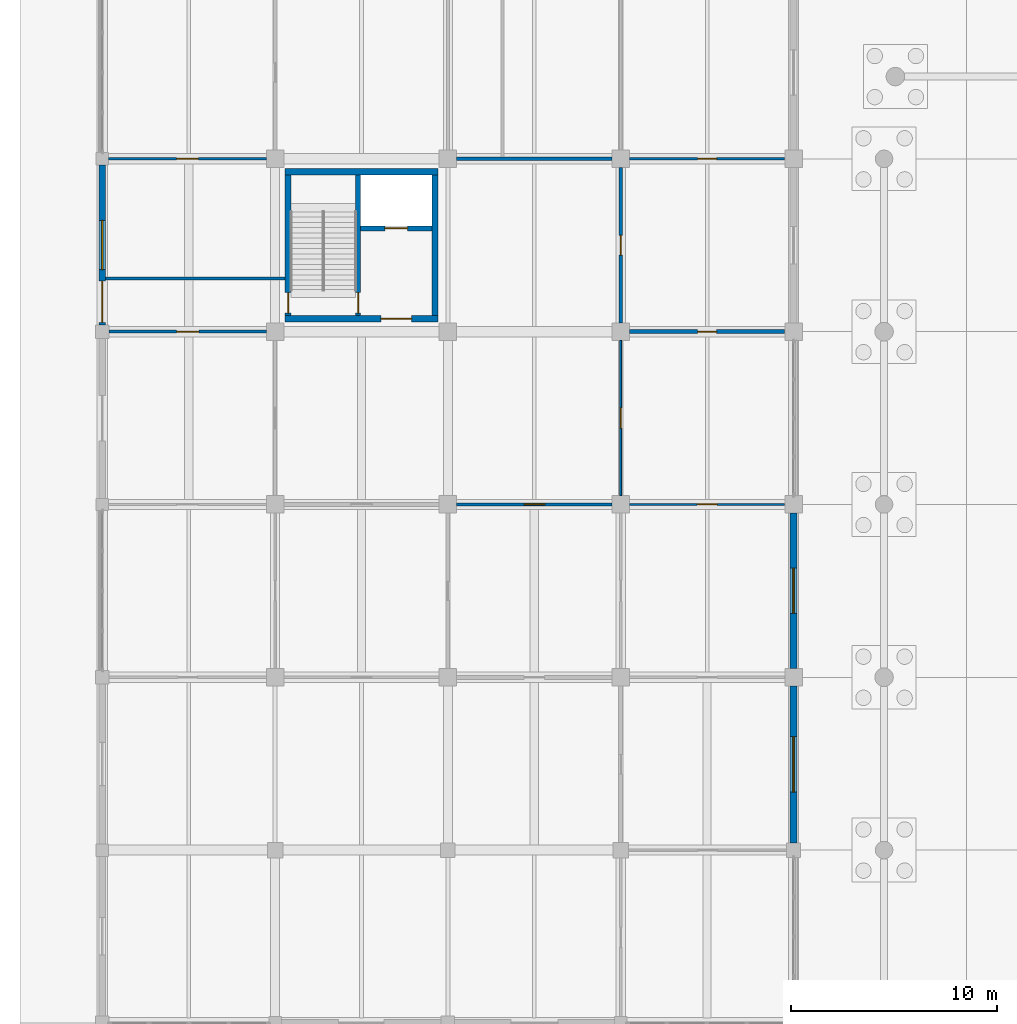
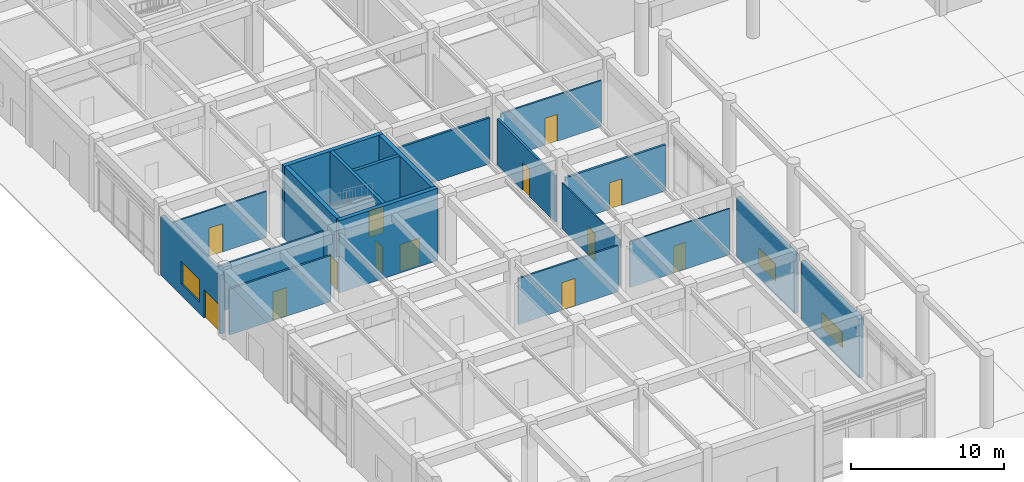
# One storey, part 66 of 91: 19 walls, 13 doors, 3 windows, 16 openings.
"""IFC4 building model written with IfcOpenShell, lengths in metres."""

from ifc_helpers import new_model, si_unit, direction, frame, frame_2d, origin, place, context, subcontext, project, spatial, rectangle, extrude, material, layer, layer_set, type_object, element, fill, save


model = new_model("IFC4")

# Units and contexts
model_context = context("Model", 3, precision=1e-05, world=origin(), true_north=direction((0.0, 1.0)))
body_context = subcontext(model_context, "Body", "Model", "MODEL_VIEW")
ifc_project = project(units=[si_unit("LENGTHUNIT", "METRE"), si_unit("AREAUNIT", "SQUARE_METRE"), si_unit("VOLUMEUNIT", "CUBIC_METRE"), si_unit("PLANEANGLEUNIT", "RADIAN"), si_unit("MASSUNIT", "GRAM", prefix="KILO")], contexts=[model_context])

# Site, building, storey
site_placement = place(None, origin())
site = spatial("IfcSite", under=ifc_project, at=site_placement, CompositionType="ELEMENT")
building_placement = place(site_placement, origin())
building = spatial("IfcBuilding", under=site, at=building_placement, Name="Porcellanite Civic Hall", CompositionType="ELEMENT")
storey_placement = place(building_placement, origin())
storey = spatial("IfcBuildingStorey", under=building, at=storey_placement, Name="L00", CompositionType="ELEMENT", Elevation=0.0)

# Wall, opening, door
ifc_material_1 = material(Name="Concrete N40 (40 MPa)", Category="concrete")
ifc_layer_1 = layer(ifc_material_1, 0.239990234375)
ifc_layer_set_1 = layer_set([ifc_layer_1], Name="Concrete N40 (40 MPa)")
wall_type_1 = type_object("IfcWallType", Name="CW-SH240", PredefinedType="SHEAR", material=ifc_layer_set_1)
wall_1_placement = place(storey_placement, frame((12.43994140625, 34.3798828125, 0.0), z_axis=(0.0, 0.0, 1.0), x_axis=(0.0, 1.0, 0.0)))
wall_1 = element("IfcWall", 1, at=wall_1_placement, inside=storey, type_object=wall_type_1, Name="Core divider C1 L00", PredefinedType="SHEAR", context=body_context, shape_type="SweptSolid", body=[
    extrude(rectangle(XDim=6.840087890625, YDim=0.239990234375, at=frame_2d((3.419921875, 0.0))), origin(), (0.0, 0.0, 1.0), 5.760009765625),
])
opening_1_placement = place(wall_1_placement, frame((0.1201171875, 0.0, 0.0)))
opening_1 = element("IfcOpeningElement", 2, at=opening_1_placement, cuts=wall_1, Name="Opening FD-C1-L00-ST", PredefinedType="OPENING", context=body_context, shape_type="SweptSolid", body=[
    extrude(rectangle(XDim=1.0, YDim=2.14990234375, at=frame_2d((0.5, 1.074951171875))), frame((0.0, 0.1201171875, 0.0), z_axis=(0.0, -1.0, 0.0), x_axis=(1.0, 0.0, 0.0)), (0.0, 0.0, 1.0), 0.239990234375),
])
ifc_material_2 = material(Name="Fire-rated solid-core hardwood timber", Category="wood")
door_type_1 = type_object("IfcDoorType", Name="DR-FD100", OperationType="NOTDEFINED", PredefinedType="DOOR", material=ifc_material_2)
door_1_placement = place(opening_1_placement, origin())
door_1 = element("IfcDoor", 3, at=door_1_placement, inside=storey, type_object=door_type_1, Name="Fire stair door FD-C1-L00-ST", OperationType="SINGLE_SWING_RIGHT", OverallHeight=2.14990234375, OverallWidth=1.0, PredefinedType="DOOR", context=body_context, shape_type="SweptSolid", body=[
    extrude(rectangle(XDim=1.0, YDim=2.14990234375, at=frame_2d((0.5, 1.074951171875))), frame((0.0, 0.02490234375, 0.0), z_axis=(0.0, -1.0, 0.0), x_axis=(1.0, 0.0, 0.0)), (0.0, 0.0, 1.0), 0.050048828125),
])
fill(opening_1, door_1)

wall_2_placement = place(storey_placement, frame((12.56005859375, 38.6201171875, 0.0), z_axis=(0.0, 0.0, 1.0), x_axis=(1.0, 0.0, 0.0)))
wall_2 = element("IfcWall", 4, at=wall_2_placement, inside=storey, type_object=wall_type_1, Name="Lift shaft wall C1 L00", PredefinedType="SHEAR", context=body_context, shape_type="SweptSolid", body=[
    extrude(rectangle(XDim=3.4599609375, YDim=0.239990234375, at=frame_2d((1.72998046875, 0.0))), origin(), (0.0, 0.0, 1.0), 5.760009765625),
])
opening_2_placement = place(wall_2_placement, frame((1.179931640625, 0.0, 0.0)))
opening_2 = element("IfcOpeningElement", 5, at=opening_2_placement, cuts=wall_2, Name="Opening LD-03", PredefinedType="OPENING", context=body_context, shape_type="SweptSolid", body=[
    extrude(rectangle(XDim=1.10009765625, YDim=2.14990234375, at=frame_2d((0.550048828125, 1.074951171875))), frame((0.0, 0.1201171875, 0.0), z_axis=(0.0, -1.0, 0.0), x_axis=(1.0, 0.0, 0.0)), (0.0, 0.0, 1.0), 0.239990234375),
])
ifc_material_3 = material(Name="Brushed stainless steel 316", Category="steel")
door_type_2 = type_object("IfcDoorType", Name="DR-LD110", OperationType="DOUBLE_DOOR_SLIDING", PredefinedType="DOOR", material=ifc_material_3)
door_2_placement = place(opening_2_placement, origin())
door_2 = element("IfcDoor", 6, at=door_2_placement, inside=storey, type_object=door_type_2, Name="Lift landing sliding door LD-03 L00", OperationType="DOUBLE_DOOR_SLIDING", OverallHeight=2.14990234375, OverallWidth=1.10009765625, PredefinedType="DOOR", context=body_context, shape_type="SweptSolid", body=[
    extrude(rectangle(XDim=1.10009765625, YDim=2.14990234375, at=frame_2d((0.550048828125, 1.074951171875))), frame((0.0, 0.02490234375, 0.0), z_axis=(0.0, -1.0, 0.0), x_axis=(1.0, 0.0, 0.0)), (0.0, 0.0, 1.0), 0.050048828125),
])
fill(opening_2, door_2)

ifc_material_4 = material(Name="Concrete N40 (40 MPa)", Category="concrete")
ifc_layer_2 = layer(ifc_material_4, 0.300048828125)
ifc_layer_set_2 = layer_set([ifc_layer_2], Name="Concrete N40 (40 MPa)")
wall_type_2 = type_object("IfcWallType", Name="CW-SH300", PredefinedType="SHEAR", material=ifc_layer_set_2)
wall_3_placement = place(storey_placement, frame((16.320068359375, 34.22998046875, 0.0), z_axis=(0.0, 0.0, 1.0), x_axis=(-1.0, 0.0, 0.0)))
wall_3 = element("IfcWall", 7, at=wall_3_placement, inside=storey, type_object=wall_type_2, Name="Core wall C1 L00 S", PredefinedType="SHEAR", context=body_context, shape_type="SweptSolid", body=[
    extrude(rectangle(XDim=7.440185546875, YDim=0.300048828125, at=frame_2d((3.72021484375, 0.0))), origin(), (0.0, 0.0, 1.0), 5.760009765625),
])
opening_3_placement = place(wall_3_placement, frame((1.280029296875, 0.0, 0.0)))
opening_3 = element("IfcOpeningElement", 8, at=opening_3_placement, cuts=wall_3, Name="Opening FD-C1-L00-LB", PredefinedType="OPENING", context=body_context, shape_type="SweptSolid", body=[
    extrude(rectangle(XDim=1.5, YDim=2.14990234375, at=frame_2d((0.75, 1.074951171875))), frame((0.0, 0.14990234375, 0.0), z_axis=(0.0, -1.0, 0.0), x_axis=(1.0, 0.0, 0.0)), (0.0, 0.0, 1.0), 0.300048828125),
])
ifc_material_5 = material(Name="Fire-rated steel and Georgian wired glass", Category="steel")
door_type_3 = type_object("IfcDoorType", Name="DR-FD150", OperationType="DOUBLE_DOOR_SINGLE_SWING", PredefinedType="DOOR", material=ifc_material_5)
door_3_placement = place(opening_3_placement, origin())
door_3 = element("IfcDoor", 9, at=door_3_placement, inside=storey, type_object=door_type_3, Name="Fire lobby double door FD-C1-L00-LB", OperationType="DOUBLE_DOOR_SINGLE_SWING", OverallHeight=2.14990234375, OverallWidth=1.5, PredefinedType="DOOR", context=body_context, shape_type="SweptSolid", body=[
    extrude(rectangle(XDim=1.5, YDim=2.14990234375, at=frame_2d((0.75, 1.074951171875))), frame((0.0, 0.02490234375, 0.0), z_axis=(0.0, -1.0, 0.0), x_axis=(1.0, 0.0, 0.0)), (0.0, 0.0, 1.0), 0.050048828125),
])
fill(opening_3, door_3)

wall_4_placement = place(storey_placement, frame((9.030029296875, 34.3798828125, 0.0), z_axis=(0.0, 0.0, 1.0), x_axis=(0.0, 1.0, 0.0)))
wall_4 = element("IfcWall", 10, at=wall_4_placement, inside=storey, type_object=wall_type_2, Name="Core wall C1 L00 W", PredefinedType="SHEAR", context=body_context, shape_type="SweptSolid", body=[
    extrude(rectangle(XDim=6.840087890625, YDim=0.300048828125, at=frame_2d((3.419921875, 0.0))), origin(), (0.0, 0.0, 1.0), 5.760009765625),
])
opening_4_placement = place(wall_4_placement, frame((0.1201171875, 0.0, 0.0)))
opening_4 = element("IfcOpeningElement", 11, at=opening_4_placement, cuts=wall_4, Name="Opening FD-C1-L00-EX", PredefinedType="OPENING", context=body_context, shape_type="SweptSolid", body=[
    extrude(rectangle(XDim=1.0, YDim=2.14990234375, at=frame_2d((0.5, 1.074951171875))), frame((0.0, 0.14990234375, 0.0), z_axis=(0.0, -1.0, 0.0), x_axis=(1.0, 0.0, 0.0)), (0.0, 0.0, 1.0), 0.300048828125),
])
door_4_placement = place(opening_4_placement, origin())
door_4 = element("IfcDoor", 12, at=door_4_placement, inside=storey, type_object=door_type_1, Name="Fire stair exit door FD-C1-L00-EX", OperationType="SINGLE_SWING_LEFT", OverallHeight=2.14990234375, OverallWidth=1.0, PredefinedType="DOOR", context=body_context, shape_type="SweptSolid", body=[
    extrude(rectangle(XDim=1.0, YDim=2.14990234375, at=frame_2d((0.5, 1.074951171875))), frame((0.0, 0.02490234375, 0.0), z_axis=(0.0, -1.0, 0.0), x_axis=(1.0, 0.0, 0.0)), (0.0, 0.0, 1.0), 0.050048828125),
])
fill(opening_4, door_4)

# Walls
wall_5_placement = place(storey_placement, frame((8.8798828125, 41.3701171875, 0.0), z_axis=(0.0, 0.0, 1.0), x_axis=(1.0, 0.0, 0.0)))
element("IfcWall", 13, at=wall_5_placement, inside=storey, type_object=wall_type_2, Name="Core wall C1 L00 N", PredefinedType="SHEAR", context=body_context, shape_type="SweptSolid", body=[
    extrude(rectangle(XDim=7.440185546875, YDim=0.300048828125, at=frame_2d((3.72021484375, 0.0))), origin(), (0.0, 0.0, 1.0), 5.760009765625),
])
wall_6_placement = place(storey_placement, frame((16.169921875, 41.219970703125, 0.0), z_axis=(0.0, 0.0, 1.0), x_axis=(0.0, -1.0, 0.0)))
element("IfcWall", 14, at=wall_6_placement, inside=storey, type_object=wall_type_2, Name="Core wall C1 L00 E", PredefinedType="SHEAR", context=body_context, shape_type="SweptSolid", body=[
    extrude(rectangle(XDim=6.840087890625, YDim=0.300048828125, at=frame_2d((3.419921875, 0.0))), origin(), (0.0, 0.0, 1.0), 5.760009765625),
])

# Wall, openings, door, window
ifc_material_6 = material(Name="Precast concrete N40 (40 MPa)", Category="concrete")
ifc_layer_3 = layer(ifc_material_6, 0.320068359375)
ifc_layer_set_3 = layer_set([ifc_layer_3], Name="Precast concrete N40 (40 MPa)")
wall_type_3 = type_object("IfcWallType", Name="EW-COM320", PredefinedType="SOLIDWALL", material=ifc_layer_set_3)
wall_7_placement = place(storey_placement, frame((0.0, 33.926025390625, 0.0), z_axis=(0.0, 0.0, 1.0), x_axis=(0.0, 1.0, 0.0)))
wall_7 = element("IfcWall", 15, at=wall_7_placement, inside=storey, type_object=wall_type_3, Name="Exterior wall L00 W 1-5", PredefinedType="SOLIDWALL", context=body_context, shape_type="SweptSolid", body=[
    extrude(rectangle(XDim=7.77294921875, YDim=0.320068359375, at=frame_2d((3.886474609375, 0.0))), origin(), (0.0, 0.0, 1.0), 4.699951171875),
])
opening_5_placement = place(wall_7_placement, frame((2.68603515625, 0.0, 0.89990234375)))
opening_5 = element("IfcOpeningElement", 16, at=opening_5_placement, cuts=wall_7, Name="Opening W03", PredefinedType="OPENING", context=body_context, shape_type="SweptSolid", body=[
    extrude(rectangle(XDim=2.39990234375, YDim=1.800048828125, at=frame_2d((1.199951171875, 0.89990234375))), frame((0.0, 0.16015625, 0.0), z_axis=(0.0, -1.0, 0.0), x_axis=(1.0, 0.0, 0.0)), (0.0, 0.0, 1.0), 0.320068359375),
])
opening_6_placement = place(wall_7_placement, frame((0.1240234375, 0.0, 0.0)))
opening_6 = element("IfcOpeningElement", 17, at=opening_6_placement, cuts=wall_7, Name="Opening ED-21", PredefinedType="OPENING", context=body_context, shape_type="SweptSolid", body=[
    extrude(rectangle(XDim=2.0, YDim=2.25, at=frame_2d((1.0, 1.125))), frame((0.0, 0.16015625, 0.0), z_axis=(0.0, -1.0, 0.0), x_axis=(1.0, 0.0, 0.0)), (0.0, 0.0, 1.0), 0.320068359375),
])
ifc_material_7 = material(Name="Anodised aluminium and laminated safety glass", Category="aluminium")
door_type_4 = type_object("IfcDoorType", Name="DR-EXIT180", OperationType="DOUBLE_DOOR_SINGLE_SWING", PredefinedType="DOOR", material=ifc_material_7)
door_5_placement = place(opening_6_placement, origin())
door_5 = element("IfcDoor", 18, at=door_5_placement, inside=storey, type_object=door_type_4, Name="Pedestrian final exit door ED-21", OperationType="DOUBLE_DOOR_SINGLE_SWING", OverallHeight=2.25, OverallWidth=2.0, PredefinedType="DOOR", context=body_context, shape_type="SweptSolid", body=[
    extrude(rectangle(XDim=2.0, YDim=2.25, at=frame_2d((1.0, 1.125))), frame((0.0, 0.02490234375, 0.0), z_axis=(0.0, -1.0, 0.0), x_axis=(1.0, 0.0, 0.0)), (0.0, 0.0, 1.0), 0.050048828125),
])
fill(opening_6, door_5)
ifc_material_8 = material(Name="Cyclone laminated low-E glazing in anodised aluminium frame", Category="aluminium")
window_type_1 = type_object("IfcWindowType", Name="WN-03", PartitioningType="TRIPLE_PANEL_VERTICAL", PredefinedType="WINDOW", material=ifc_material_8)
window_1_placement = place(opening_5_placement, origin())
window_1 = element("IfcWindow", 19, at=window_1_placement, inside=storey, type_object=window_type_1, Name="Window W03 L00 W 1-5", OverallHeight=1.800048828125, OverallWidth=2.39990234375, PartitioningType="SINGLE_PANEL", PredefinedType="WINDOW", context=body_context, shape_type="SweptSolid", body=[
    extrude(rectangle(XDim=2.39990234375, YDim=1.800048828125, at=frame_2d((1.199951171875, 0.89990234375))), frame((0.0, 0.030029296875, 0.0), z_axis=(0.0, -1.0, 0.0), x_axis=(1.0, 0.0, 0.0)), (0.0, 0.0, 1.0), 0.06005859375),
])
fill(opening_5, window_1)

# Wall, opening, window
wall_8_placement = place(storey_placement, frame((33.60009765625, 16.3740234375, 0.0), z_axis=(0.0, 0.0, 1.0), x_axis=(0.0, -1.0, 0.0)))
wall_8 = element("IfcWall", 20, at=wall_8_placement, inside=storey, type_object=wall_type_3, Name="Exterior wall L00 E 4-2", PredefinedType="SOLIDWALL", context=body_context, shape_type="SweptSolid", body=[
    extrude(rectangle(XDim=7.623046875, YDim=0.320068359375, at=frame_2d((3.8115234375, 0.0))), origin(), (0.0, 0.0, 1.0), 4.699951171875),
])
opening_7_placement = place(wall_8_placement, frame((2.4619140625, 0.0, 0.89990234375)))
opening_7 = element("IfcOpeningElement", 21, at=opening_7_placement, cuts=wall_8, Name="Opening W10", PredefinedType="OPENING", context=body_context, shape_type="SweptSolid", body=[
    extrude(rectangle(XDim=2.699951171875, YDim=1.199951171875, at=frame_2d((1.35009765625, 0.60009765625))), frame((0.0, 0.16015625, 0.0), z_axis=(0.0, -1.0, 0.0), x_axis=(1.0, 0.0, 0.0)), (0.0, 0.0, 1.0), 0.320068359375),
])
ifc_material_9 = material(Name="Cyclone laminated low-E glazing in anodised aluminium frame", Category="aluminium")
window_type_2 = type_object("IfcWindowType", Name="WN-10", PartitioningType="DOUBLE_PANEL_HORIZONTAL", PredefinedType="WINDOW", material=ifc_material_9)
window_2_placement = place(opening_7_placement, origin())
window_2 = element("IfcWindow", 22, at=window_2_placement, inside=storey, type_object=window_type_2, Name="Window W10 L00 E 4-2", OverallHeight=1.199951171875, OverallWidth=2.699951171875, PartitioningType="SINGLE_PANEL", PredefinedType="WINDOW", context=body_context, shape_type="SweptSolid", body=[
    extrude(rectangle(XDim=2.699951171875, YDim=1.199951171875, at=frame_2d((1.35009765625, 0.60009765625))), frame((0.0, 0.030029296875, 0.0), z_axis=(0.0, -1.0, 0.0), x_axis=(1.0, 0.0, 0.0)), (0.0, 0.0, 1.0), 0.06005859375),
])
fill(opening_7, window_2)

wall_9_placement = place(storey_placement, frame((33.60009765625, 24.77392578125, 0.0), z_axis=(0.0, 0.0, 1.0), x_axis=(0.0, -1.0, 0.0)))
wall_9 = element("IfcWall", 23, at=wall_9_placement, inside=storey, type_object=wall_type_3, Name="Exterior wall L00 E 4-3", PredefinedType="SOLIDWALL", context=body_context, shape_type="SweptSolid", body=[
    extrude(rectangle(XDim=7.5478515625, YDim=0.320068359375, at=frame_2d((3.77392578125, 0.0))), origin(), (0.0, 0.0, 1.0), 4.699951171875),
])
opening_8_placement = place(wall_9_placement, frame((2.674072265625, 0.0, 0.89990234375)))
opening_8 = element("IfcOpeningElement", 24, at=opening_8_placement, cuts=wall_9, Name="Opening W11", PredefinedType="OPENING", context=body_context, shape_type="SweptSolid", body=[
    extrude(rectangle(XDim=2.199951171875, YDim=1.35009765625, at=frame_2d((1.10009765625, 0.675048828125))), frame((0.0, 0.16015625, 0.0), z_axis=(0.0, -1.0, 0.0), x_axis=(1.0, 0.0, 0.0)), (0.0, 0.0, 1.0), 0.320068359375),
])
ifc_material_10 = material(Name="Cyclone laminated low-E glazing in anodised aluminium frame", Category="aluminium")
window_type_3 = type_object("IfcWindowType", Name="WN-11", PartitioningType="DOUBLE_PANEL_HORIZONTAL", PredefinedType="WINDOW", material=ifc_material_10)
window_3_placement = place(opening_8_placement, origin())
window_3 = element("IfcWindow", 25, at=window_3_placement, inside=storey, type_object=window_type_3, Name="Window W11 L00 E 4-3", OverallHeight=1.35009765625, OverallWidth=2.199951171875, PartitioningType="SINGLE_PANEL", PredefinedType="WINDOW", context=body_context, shape_type="SweptSolid", body=[
    extrude(rectangle(XDim=2.199951171875, YDim=1.35009765625, at=frame_2d((1.10009765625, 0.675048828125))), frame((0.0, 0.030029296875, 0.0), z_axis=(0.0, -1.0, 0.0), x_axis=(1.0, 0.0, 0.0)), (0.0, 0.0, 1.0), 0.06005859375),
])
fill(opening_8, window_3)

# Wall
ifc_material_11 = material(Name="Fire-rated plasterboard on light-gauge steel studs", Category="steel")
ifc_layer_4 = layer(ifc_material_11, 0.14794921875)
ifc_layer_set_4 = layer_set([ifc_layer_4], Name="Fire-rated plasterboard on light-gauge steel studs")
wall_type_4 = type_object("IfcWallType", Name="IW-FR148", PredefinedType="PARTITIONING", material=ifc_layer_set_4)
wall_10_placement = place(storey_placement, frame((0.159912109375, 36.194091796875, 0.0), z_axis=(0.0, 0.0, 1.0), x_axis=(1.0, 0.0, 0.0)))
element("IfcWall", 26, at=wall_10_placement, inside=storey, type_object=wall_type_4, Name="Exit passage wall ST-01 L00", PredefinedType="PARTITIONING", context=body_context, shape_type="SweptSolid", body=[
    extrude(rectangle(XDim=8.719970703125, YDim=0.14794921875, at=frame_2d((4.35986328125, 0.0))), origin(), (0.0, 0.0, 1.0), 3.659912109375),
])

# Wall, opening, door
ifc_material_12 = material(Name="Insulated acoustic plasterboard on light-gauge steel studs", Category="steel")
ifc_layer_5 = layer(ifc_material_12, 0.094970703125)
ifc_layer_set_5 = layer_set([ifc_layer_5], Name="Insulated acoustic plasterboard on light-gauge steel studs")
wall_type_5 = type_object("IfcWallType", Name="IW-PT095", PredefinedType="PARTITIONING", material=ifc_layer_set_5)
wall_11_placement = place(storey_placement, frame((25.199951171875, 25.626953125, 0.0), z_axis=(0.0, 0.0, 1.0), x_axis=(0.0, 1.0, 0.0)))
wall_11 = element("IfcWall", 27, at=wall_11_placement, inside=storey, type_object=wall_type_5, Name="Partition L00 V 3-4", PredefinedType="PARTITIONING", context=body_context, shape_type="SweptSolid", body=[
    extrude(rectangle(XDim=7.546142578125, YDim=0.094970703125, at=frame_2d((3.77294921875, 0.0))), origin(), (0.0, 0.0, 1.0), 3.659912109375),
])
opening_9_placement = place(wall_11_placement, frame((3.282958984375, 0.0, 0.0)))
opening_9 = element("IfcOpeningElement", 28, at=opening_9_placement, cuts=wall_11, Name="Opening D-L00-070", PredefinedType="OPENING", context=body_context, shape_type="SweptSolid", body=[
    extrude(rectangle(XDim=0.97998046875, YDim=2.179931640625, at=frame_2d((0.489990234375, 1.08984375))), frame((0.0, 0.04736328125, 0.0), z_axis=(0.0, -1.0, 0.0), x_axis=(1.0, 0.0, 0.0)), (0.0, 0.0, 1.0), 0.094970703125),
])
ifc_material_13 = material(Name="Solid-core spotted-gum timber", Category="wood")
door_type_5 = type_object("IfcDoorType", Name="DR-RM098", OperationType="NOTDEFINED", PredefinedType="DOOR", material=ifc_material_13)
door_6_placement = place(opening_9_placement, origin())
door_6 = element("IfcDoor", 29, at=door_6_placement, inside=storey, type_object=door_type_5, Name="Interior door D-L00-070", OperationType="SINGLE_SWING_LEFT", OverallHeight=2.179931640625, OverallWidth=0.97998046875, PredefinedType="DOOR", context=body_context, shape_type="SweptSolid", body=[
    extrude(rectangle(XDim=0.97998046875, YDim=2.179931640625, at=frame_2d((0.489990234375, 1.08984375))), frame((0.0, 0.02490234375, 0.0), z_axis=(0.0, -1.0, 0.0), x_axis=(1.0, 0.0, 0.0)), (0.0, 0.0, 1.0), 0.050048828125),
])
fill(opening_9, door_6)

ifc_material_14 = material(Name="Insulated acoustic plasterboard on light-gauge steel studs", Category="steel")
ifc_layer_6 = layer(ifc_material_14, 0.114990234375)
ifc_layer_set_6 = layer_set([ifc_layer_6], Name="Insulated acoustic plasterboard on light-gauge steel studs")
wall_type_6 = type_object("IfcWallType", Name="IW-PT115", PredefinedType="PARTITIONING", material=ifc_layer_set_6)
wall_12_placement = place(storey_placement, frame((25.626953125, 25.199951171875, 0.0), z_axis=(0.0, 0.0, 1.0), x_axis=(1.0, 0.0, 0.0)))
wall_12 = element("IfcWall", 30, at=wall_12_placement, inside=storey, type_object=wall_type_6, Name="Partition L00 H 4-3", PredefinedType="PARTITIONING", context=body_context, shape_type="SweptSolid", body=[
    extrude(rectangle(XDim=7.546142578125, YDim=0.114990234375, at=frame_2d((3.77294921875, 0.0))), origin(), (0.0, 0.0, 1.0), 3.659912109375),
])
opening_10_placement = place(wall_12_placement, frame((3.2880859375, 0.0, 0.0)))
opening_10 = element("IfcOpeningElement", 31, at=opening_10_placement, cuts=wall_12, Name="Opening D-L00-141", PredefinedType="OPENING", context=body_context, shape_type="SweptSolid", body=[
    extrude(rectangle(XDim=0.969970703125, YDim=2.1201171875, at=frame_2d((0.48486328125, 1.06005859375))), frame((0.0, 0.0576171875, 0.0), z_axis=(0.0, -1.0, 0.0), x_axis=(1.0, 0.0, 0.0)), (0.0, 0.0, 1.0), 0.114990234375),
])
ifc_material_15 = material(Name="Solid-core spotted-gum timber", Category="wood")
door_type_6 = type_object("IfcDoorType", Name="DR-RM097", OperationType="NOTDEFINED", PredefinedType="DOOR", material=ifc_material_15)
door_7_placement = place(opening_10_placement, origin())
door_7 = element("IfcDoor", 32, at=door_7_placement, inside=storey, type_object=door_type_6, Name="Interior door D-L00-141", OperationType="SINGLE_SWING_LEFT", OverallHeight=2.1201171875, OverallWidth=0.969970703125, PredefinedType="DOOR", context=body_context, shape_type="SweptSolid", body=[
    extrude(rectangle(XDim=0.969970703125, YDim=2.1201171875, at=frame_2d((0.48486328125, 1.06005859375))), frame((0.0, 0.02490234375, 0.0), z_axis=(0.0, -1.0, 0.0), x_axis=(1.0, 0.0, 0.0)), (0.0, 0.0, 1.0), 0.050048828125),
])
fill(opening_10, door_7)

ifc_material_16 = material(Name="Insulated acoustic plasterboard on light-gauge steel studs", Category="steel")
ifc_layer_7 = layer(ifc_material_16, 0.135009765625)
ifc_layer_set_7 = layer_set([ifc_layer_7], Name="Insulated acoustic plasterboard on light-gauge steel studs")
wall_type_7 = type_object("IfcWallType", Name="IW-PT135", PredefinedType="PARTITIONING", material=ifc_layer_set_7)
wall_13_placement = place(storey_placement, frame((25.626953125, 42.0, 0.0), z_axis=(0.0, 0.0, 1.0), x_axis=(1.0, 0.0, 0.0)))
wall_13 = element("IfcWall", 33, at=wall_13_placement, inside=storey, type_object=wall_type_7, Name="Partition L00 H 4-5", PredefinedType="PARTITIONING", context=body_context, shape_type="SweptSolid", body=[
    extrude(rectangle(XDim=7.546142578125, YDim=0.135009765625, at=frame_2d((3.77294921875, 0.0))), origin(), (0.0, 0.0, 1.0), 3.659912109375),
])
opening_11_placement = place(wall_13_placement, frame((3.31298828125, 0.0, 0.0)))
opening_11 = element("IfcOpeningElement", 34, at=opening_11_placement, cuts=wall_13, Name="Opening D-L00-099", PredefinedType="OPENING", context=body_context, shape_type="SweptSolid", body=[
    extrude(rectangle(XDim=0.919921875, YDim=2.14990234375, at=frame_2d((0.4599609375, 1.074951171875))), frame((0.0, 0.0673828125, 0.0), z_axis=(0.0, -1.0, 0.0), x_axis=(1.0, 0.0, 0.0)), (0.0, 0.0, 1.0), 0.135009765625),
])
ifc_material_17 = material(Name="Solid-core spotted-gum timber", Category="wood")
door_type_7 = type_object("IfcDoorType", Name="DR-RM092", OperationType="NOTDEFINED", PredefinedType="DOOR", material=ifc_material_17)
door_8_placement = place(opening_11_placement, origin())
door_8 = element("IfcDoor", 35, at=door_8_placement, inside=storey, type_object=door_type_7, Name="Interior door D-L00-099", OperationType="SINGLE_SWING_RIGHT", OverallHeight=2.14990234375, OverallWidth=0.919921875, PredefinedType="DOOR", context=body_context, shape_type="SweptSolid", body=[
    extrude(rectangle(XDim=0.919921875, YDim=2.14990234375, at=frame_2d((0.4599609375, 1.074951171875))), frame((0.0, 0.02490234375, 0.0), z_axis=(0.0, -1.0, 0.0), x_axis=(1.0, 0.0, 0.0)), (0.0, 0.0, 1.0), 0.050048828125),
])
fill(opening_11, door_8)

ifc_material_18 = material(Name="Insulated acoustic plasterboard on light-gauge steel studs", Category="steel")
ifc_layer_8 = layer(ifc_material_18, 0.14501953125)
ifc_layer_set_8 = layer_set([ifc_layer_8], Name="Insulated acoustic plasterboard on light-gauge steel studs")
wall_type_8 = type_object("IfcWallType", Name="IW-PT145", PredefinedType="PARTITIONING", material=ifc_layer_set_8)
wall_14_placement = place(storey_placement, frame((17.22705078125, 25.199951171875, 0.0), z_axis=(0.0, 0.0, 1.0), x_axis=(1.0, 0.0, 0.0)))
wall_14 = element("IfcWall", 36, at=wall_14_placement, inside=storey, type_object=wall_type_8, Name="Partition L00 H 3-3", PredefinedType="PARTITIONING", context=body_context, shape_type="SweptSolid", body=[
    extrude(rectangle(XDim=7.5458984375, YDim=0.14501953125, at=frame_2d((3.77294921875, 0.0))), origin(), (0.0, 0.0, 1.0), 3.659912109375),
])
opening_12_placement = place(wall_14_placement, frame((3.27294921875, 0.0, 0.0)))
opening_12 = element("IfcOpeningElement", 37, at=opening_12_placement, cuts=wall_14, Name="Opening D-L00-043", PredefinedType="OPENING", context=body_context, shape_type="SweptSolid", body=[
    extrude(rectangle(XDim=1.0, YDim=2.199951171875, at=frame_2d((0.5, 1.10009765625))), frame((0.0, 0.072509765625, 0.0), z_axis=(0.0, -1.0, 0.0), x_axis=(1.0, 0.0, 0.0)), (0.0, 0.0, 1.0), 0.14501953125),
])
ifc_material_19 = material(Name="Solid-core spotted-gum timber", Category="wood")
door_type_8 = type_object("IfcDoorType", Name="DR-RM100", OperationType="NOTDEFINED", PredefinedType="DOOR", material=ifc_material_19)
door_9_placement = place(opening_12_placement, origin())
door_9 = element("IfcDoor", 38, at=door_9_placement, inside=storey, type_object=door_type_8, Name="Interior door D-L00-043", OperationType="SINGLE_SWING_LEFT", OverallHeight=2.199951171875, OverallWidth=1.0, PredefinedType="DOOR", context=body_context, shape_type="SweptSolid", body=[
    extrude(rectangle(XDim=1.0, YDim=2.199951171875, at=frame_2d((0.5, 1.10009765625))), frame((0.0, 0.02490234375, 0.0), z_axis=(0.0, -1.0, 0.0), x_axis=(1.0, 0.0, 0.0)), (0.0, 0.0, 1.0), 0.050048828125),
])
fill(opening_12, door_9)

ifc_material_20 = material(Name="Insulated acoustic plasterboard on light-gauge steel studs", Category="steel")
ifc_layer_9 = layer(ifc_material_20, 0.155029296875)
ifc_layer_set_9 = layer_set([ifc_layer_9], Name="Insulated acoustic plasterboard on light-gauge steel studs")
wall_type_9 = type_object("IfcWallType", Name="IW-PT155", PredefinedType="PARTITIONING", material=ifc_layer_set_9)
wall_15_placement = place(storey_placement, frame((0.326904296875, 33.60009765625, 0.0), z_axis=(0.0, 0.0, 1.0), x_axis=(1.0, 0.0, 0.0)))
wall_15 = element("IfcWall", 39, at=wall_15_placement, inside=storey, type_object=wall_type_9, Name="Partition L00 H 1-4", PredefinedType="PARTITIONING", context=body_context, shape_type="SweptSolid", body=[
    extrude(rectangle(XDim=7.64599609375, YDim=0.155029296875, at=frame_2d((3.822998046875, 0.0))), origin(), (0.0, 0.0, 1.0), 3.659912109375),
])
opening_13_placement = place(wall_15_placement, frame((3.282958984375, 0.0, 0.0)))
opening_13 = element("IfcOpeningElement", 40, at=opening_13_placement, cuts=wall_15, Name="Opening D-L00-091", PredefinedType="OPENING", context=body_context, shape_type="SweptSolid", body=[
    extrude(rectangle(XDim=1.080078125, YDim=2.25, at=frame_2d((0.5400390625, 1.125))), frame((0.0, 0.07763671875, 0.0), z_axis=(0.0, -1.0, 0.0), x_axis=(1.0, 0.0, 0.0)), (0.0, 0.0, 1.0), 0.155029296875),
])
ifc_material_21 = material(Name="Solid-core spotted-gum timber", Category="wood")
door_type_9 = type_object("IfcDoorType", Name="DR-RM108", OperationType="NOTDEFINED", PredefinedType="DOOR", material=ifc_material_21)
door_10_placement = place(opening_13_placement, origin())
door_10 = element("IfcDoor", 41, at=door_10_placement, inside=storey, type_object=door_type_9, Name="Interior door D-L00-091", OperationType="SINGLE_SWING_RIGHT", OverallHeight=2.25, OverallWidth=1.080078125, PredefinedType="DOOR", context=body_context, shape_type="SweptSolid", body=[
    extrude(rectangle(XDim=1.080078125, YDim=2.25, at=frame_2d((0.5400390625, 1.125))), frame((0.0, 0.02490234375, 0.0), z_axis=(0.0, -1.0, 0.0), x_axis=(1.0, 0.0, 0.0)), (0.0, 0.0, 1.0), 0.050048828125),
])
fill(opening_13, door_10)

# Wall
ifc_material_22 = material(Name="Insulated acoustic plasterboard on light-gauge steel studs", Category="steel")
ifc_layer_10 = layer(ifc_material_22, 0.1650390625)
ifc_layer_set_10 = layer_set([ifc_layer_10], Name="Insulated acoustic plasterboard on light-gauge steel studs")
wall_type_10 = type_object("IfcWallType", Name="IW-PT165", PredefinedType="PARTITIONING", material=ifc_layer_set_10)
wall_16_placement = place(storey_placement, frame((17.22705078125, 42.0, 0.0), z_axis=(0.0, 0.0, 1.0), x_axis=(1.0, 0.0, 0.0)))
element("IfcWall", 42, at=wall_16_placement, inside=storey, type_object=wall_type_10, Name="Partition L00 H 3-5", PredefinedType="PARTITIONING", context=body_context, shape_type="SweptSolid", body=[
    extrude(rectangle(XDim=7.5458984375, YDim=0.1650390625, at=frame_2d((3.77294921875, 0.0))), origin(), (0.0, 0.0, 1.0), 3.659912109375),
])

# Wall, opening, door
wall_17_placement = place(storey_placement, frame((25.199951171875, 34.027099609375, 0.0), z_axis=(0.0, 0.0, 1.0), x_axis=(0.0, 1.0, 0.0)))
wall_17 = element("IfcWall", 43, at=wall_17_placement, inside=storey, type_object=wall_type_10, Name="Partition L00 V 3-5", PredefinedType="PARTITIONING", context=body_context, shape_type="SweptSolid", body=[
    extrude(rectangle(XDim=7.5458984375, YDim=0.1650390625, at=frame_2d((3.77294921875, 0.0))), origin(), (0.0, 0.0, 1.0), 3.659912109375),
])
opening_14_placement = place(wall_17_placement, frame((3.29296875, 0.0, 0.0)))
opening_14 = element("IfcOpeningElement", 44, at=opening_14_placement, cuts=wall_17, Name="Opening D-L00-071", PredefinedType="OPENING", context=body_context, shape_type="SweptSolid", body=[
    extrude(rectangle(XDim=0.9599609375, YDim=2.179931640625, at=frame_2d((0.47998046875, 1.08984375))), frame((0.0, 0.08251953125, 0.0), z_axis=(0.0, -1.0, 0.0), x_axis=(1.0, 0.0, 0.0)), (0.0, 0.0, 1.0), 0.1650390625),
])
ifc_material_23 = material(Name="Solid-core spotted-gum timber", Category="wood")
door_type_10 = type_object("IfcDoorType", Name="DR-RM096", OperationType="NOTDEFINED", PredefinedType="DOOR", material=ifc_material_23)
door_11_placement = place(opening_14_placement, origin())
door_11 = element("IfcDoor", 45, at=door_11_placement, inside=storey, type_object=door_type_10, Name="Interior door D-L00-071", OperationType="SINGLE_SWING_RIGHT", OverallHeight=2.179931640625, OverallWidth=0.9599609375, PredefinedType="DOOR", context=body_context, shape_type="SweptSolid", body=[
    extrude(rectangle(XDim=0.9599609375, YDim=2.179931640625, at=frame_2d((0.47998046875, 1.08984375))), frame((0.0, 0.02490234375, 0.0), z_axis=(0.0, -1.0, 0.0), x_axis=(1.0, 0.0, 0.0)), (0.0, 0.0, 1.0), 0.050048828125),
])
fill(opening_14, door_11)

ifc_material_24 = material(Name="Insulated acoustic plasterboard on light-gauge steel studs", Category="steel")
ifc_layer_11 = layer(ifc_material_24, 0.18505859375)
ifc_layer_set_11 = layer_set([ifc_layer_11], Name="Insulated acoustic plasterboard on light-gauge steel studs")
wall_type_11 = type_object("IfcWallType", Name="IW-PT185", PredefinedType="PARTITIONING", material=ifc_layer_set_11)
wall_18_placement = place(storey_placement, frame((25.626953125, 33.60009765625, 0.0), z_axis=(0.0, 0.0, 1.0), x_axis=(1.0, 0.0, 0.0)))
wall_18 = element("IfcWall", 46, at=wall_18_placement, inside=storey, type_object=wall_type_11, Name="Partition L00 H 4-4", PredefinedType="PARTITIONING", context=body_context, shape_type="SweptSolid", body=[
    extrude(rectangle(XDim=7.546142578125, YDim=0.18505859375, at=frame_2d((3.77294921875, 0.0))), origin(), (0.0, 0.0, 1.0), 3.659912109375),
])
opening_15_placement = place(wall_18_placement, frame((3.30810546875, 0.0, 0.0)))
opening_15 = element("IfcOpeningElement", 47, at=opening_15_placement, cuts=wall_18, Name="Opening D-L00-142", PredefinedType="OPENING", context=body_context, shape_type="SweptSolid", body=[
    extrude(rectangle(XDim=0.929931640625, YDim=2.1201171875, at=frame_2d((0.46484375, 1.06005859375))), frame((0.0, 0.092529296875, 0.0), z_axis=(0.0, -1.0, 0.0), x_axis=(1.0, 0.0, 0.0)), (0.0, 0.0, 1.0), 0.18505859375),
])
ifc_material_25 = material(Name="Solid-core spotted-gum timber", Category="wood")
door_type_11 = type_object("IfcDoorType", Name="DR-RM093", OperationType="NOTDEFINED", PredefinedType="DOOR", material=ifc_material_25)
door_12_placement = place(opening_15_placement, origin())
door_12 = element("IfcDoor", 48, at=door_12_placement, inside=storey, type_object=door_type_11, Name="Interior door D-L00-142", OperationType="SINGLE_SWING_RIGHT", OverallHeight=2.1201171875, OverallWidth=0.929931640625, PredefinedType="DOOR", context=body_context, shape_type="SweptSolid", body=[
    extrude(rectangle(XDim=0.929931640625, YDim=2.1201171875, at=frame_2d((0.46484375, 1.06005859375))), frame((0.0, 0.02490234375, 0.0), z_axis=(0.0, -1.0, 0.0), x_axis=(1.0, 0.0, 0.0)), (0.0, 0.0, 1.0), 0.050048828125),
])
fill(opening_15, door_12)

ifc_material_26 = material(Name="Acoustic timber-veneered operable panel system", Category="wood")
ifc_layer_12 = layer(ifc_material_26, 0.1298828125)
ifc_layer_set_12 = layer_set([ifc_layer_12], Name="Acoustic timber-veneered operable panel system")
wall_type_12 = type_object("IfcWallType", Name="MW-OP130", PredefinedType="MOVABLE", material=ifc_layer_set_12)
wall_19_placement = place(storey_placement, frame((0.302001953125, 42.0, 0.0), z_axis=(0.0, 0.0, 1.0), x_axis=(1.0, 0.0, 0.0)))
wall_19 = element("IfcWall", 49, at=wall_19_placement, inside=storey, type_object=wall_type_12, Name="Partition L00 H 1-5", PredefinedType="MOVABLE", context=body_context, shape_type="SweptSolid", body=[
    extrude(rectangle(XDim=7.6708984375, YDim=0.1298828125, at=frame_2d((3.83544921875, 0.0))), origin(), (0.0, 0.0, 1.0), 3.659912109375),
])
opening_16_placement = place(wall_19_placement, frame((3.305908203125, 0.0, 0.0)))
opening_16 = element("IfcOpeningElement", 50, at=opening_16_placement, cuts=wall_19, Name="Opening D-L00-092", PredefinedType="OPENING", context=body_context, shape_type="SweptSolid", body=[
    extrude(rectangle(XDim=1.06005859375, YDim=2.25, at=frame_2d((0.530029296875, 1.125))), frame((0.0, 0.06494140625, 0.0), z_axis=(0.0, -1.0, 0.0), x_axis=(1.0, 0.0, 0.0)), (0.0, 0.0, 1.0), 0.1298828125),
])
ifc_material_27 = material(Name="Solid-core spotted-gum timber", Category="wood")
door_type_12 = type_object("IfcDoorType", Name="DR-RM106", OperationType="NOTDEFINED", PredefinedType="DOOR", material=ifc_material_27)
door_13_placement = place(opening_16_placement, origin())
door_13 = element("IfcDoor", 51, at=door_13_placement, inside=storey, type_object=door_type_12, Name="Interior door D-L00-092", OperationType="SINGLE_SWING_LEFT", OverallHeight=2.25, OverallWidth=1.06005859375, PredefinedType="DOOR", context=body_context, shape_type="SweptSolid", body=[
    extrude(rectangle(XDim=1.06005859375, YDim=2.25, at=frame_2d((0.530029296875, 1.125))), frame((0.0, 0.02490234375, 0.0), z_axis=(0.0, -1.0, 0.0), x_axis=(1.0, 0.0, 0.0)), (0.0, 0.0, 1.0), 0.050048828125),
])
fill(opening_16, door_13)

save(model, "model.ifc")
